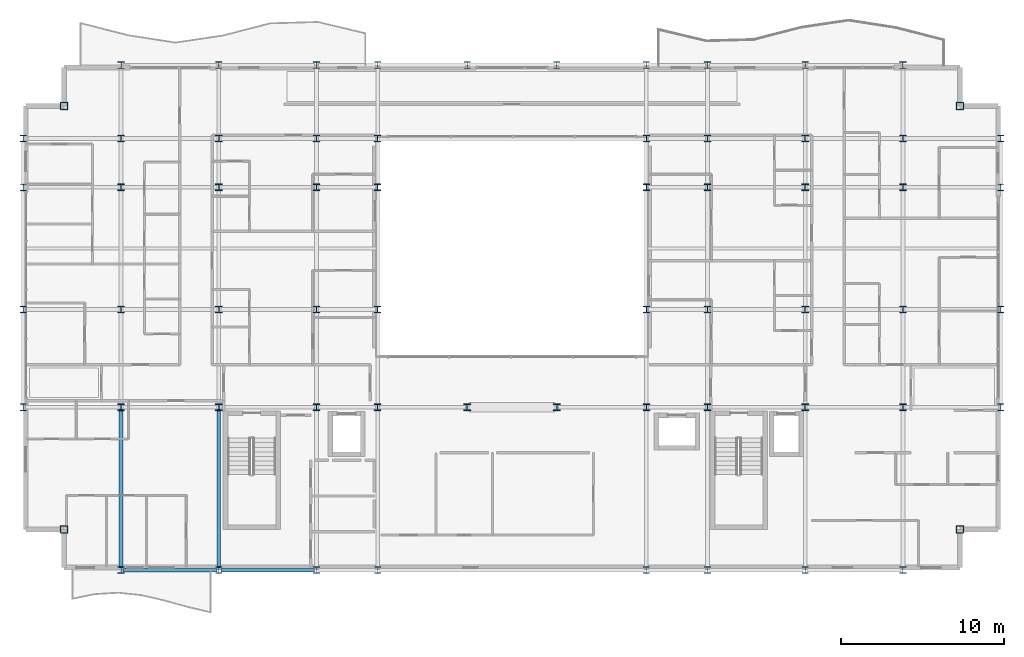
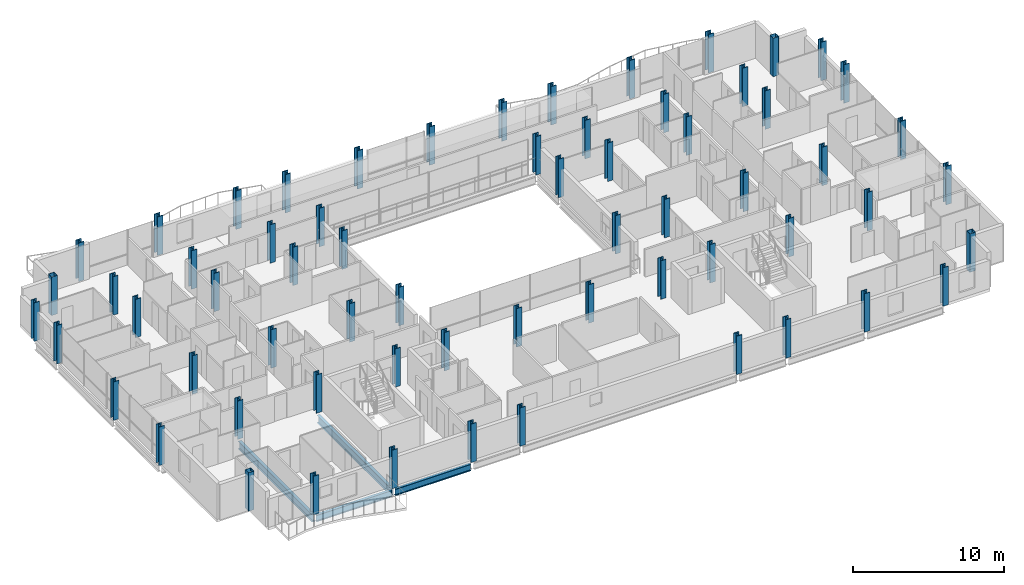
# One storey, part 1 of 40: 64 columns, 4 beams.
"""IFC4 building model written with IfcOpenShell, lengths in metres."""

from ifc_helpers import new_model, si_unit, direction, frame, origin, origin_2d, place, context, subcontext, project, spatial, hollow_rectangle, i_section, extrude, material, material_profile, profile_set, type_object, element, save


model = new_model("IFC4")

# Units and contexts
model_context = context("Model", 3, precision=1e-05, world=origin(), true_north=direction((0.0, 1.0)))
body_context = subcontext(model_context, "Body", "Model", "MODEL_VIEW")
ifc_project = project(units=[si_unit("LENGTHUNIT", "METRE"), si_unit("AREAUNIT", "SQUARE_METRE"), si_unit("VOLUMEUNIT", "CUBIC_METRE"), si_unit("PLANEANGLEUNIT", "RADIAN"), si_unit("MASSUNIT", "GRAM", prefix="KILO")], contexts=[model_context])

# Site, building, storey
site_placement = place(None, origin())
site = spatial("IfcSite", under=ifc_project, at=site_placement, CompositionType="ELEMENT")
building_placement = place(site_placement, origin())
building = spatial("IfcBuilding", under=site, at=building_placement, Name="Brevholm Reach", CompositionType="ELEMENT")
storey_placement = place(building_placement, frame((0.0, 0.0, 131.39990234375)))
storey = spatial("IfcBuildingStorey", under=building, at=storey_placement, Name="L39", CompositionType="ELEMENT", Elevation=131.39990234375)

# Columns
ifc_material_1 = material(Name="Structural Steel S460NH", Category="steel")
ifc_material_profile_1 = material_profile(ifc_material_1, hollow_rectangle(XDim=0.449951171875, YDim=0.449951171875, WallThickness=0.02490234375, InnerFilletRadius=0.011962890625, OuterFilletRadius=0.02392578125, at=origin_2d()), Name="SHS 450x450x25")
ifc_profile_set_1 = profile_set([ifc_material_profile_1], Name="Structural Steel S460NH")
column_type_1 = type_object("IfcColumnType", Name="COL-SHS1", PredefinedType="COLUMN", material=ifc_profile_set_1)
for number, where, z_axis, x_axis, name in (
    (1, (2.5, 2.5, 0.0), (0.0, 0.0, 1.0), (1.0, 0.0, 0.0), "L39 Column 05"),
    (2, (2.5, 28.5, 0.0), (0.0, 0.0, 1.0), (1.0, 0.0, 0.0), "L39 Column 06"),
    (3, (57.5, 2.5, 0.0), (0.0, 0.0, 1.0), (1.0, 0.0, 0.0), "L39 Column 59"),
    (4, (57.5, 28.5, 0.0), (0.0, 0.0, 1.0), (1.0, 0.0, 0.0), "L39 Column 60"),
):
    element("IfcColumn", number, at=place(storey_placement, frame(where, z_axis=z_axis, x_axis=x_axis)), inside=storey, type_object=column_type_1, Name=name, PredefinedType="COLUMN", context=body_context, shape_type="SweptSolid", body=[
        extrude(hollow_rectangle(XDim=0.449951171875, YDim=0.449951171875, WallThickness=0.02490234375, InnerFilletRadius=0.011962890625, OuterFilletRadius=0.02392578125, at=origin_2d()), origin(), (0.0, 0.0, 1.0), 3.10009765625),
    ])
ifc_material_2 = material(Name="Structural Steel S460ML", Category="steel")
ifc_material_profile_2 = material_profile(ifc_material_2, i_section(OverallWidth=0.412109375, OverallDepth=0.4365234375, WebThickness=0.035888671875, FlangeThickness=0.05810546875, FilletRadius=0.01513671875, at=origin_2d()), Name="UKC 356x406x467")
ifc_profile_set_2 = profile_set([ifc_material_profile_2], Name="Structural Steel S460ML")
column_type_2 = type_object("IfcColumnType", Name="COL-UC3", PredefinedType="COLUMN", material=ifc_profile_set_2)
for number, where, z_axis, x_axis, name in (
    (5, (0.0, 10.0, 0.0), (0.0, 0.0, 1.0), (1.0, 0.0, 0.0), "L39 Column 01"),
    (6, (0.0, 16.0, 0.0), (0.0, 0.0, 1.0), (1.0, 0.0, 0.0), "L39 Column 02"),
    (7, (0.0, 23.5, 0.0), (0.0, 0.0, 1.0), (1.0, 0.0, 0.0), "L39 Column 03"),
    (8, (0.0, 26.5, 0.0), (0.0, 0.0, 1.0), (1.0, 0.0, 0.0), "L39 Column 04"),
    (9, (6.0, 0.0, 0.0), (0.0, 0.0, 1.0), (1.0, 0.0, 0.0), "L39 Column 07"),
    (10, (6.0, 31.0, 0.0), (0.0, 0.0, 1.0), (1.0, 0.0, 0.0), "L39 Column 12"),
    (11, (12.0, 0.0, 0.0), (0.0, 0.0, 1.0), (1.0, 0.0, 0.0), "L39 Column 13"),
    (12, (12.0, 31.0, 0.0), (0.0, 0.0, 1.0), (1.0, 0.0, 0.0), "L39 Column 18"),
    (13, (18.0, 0.0, 0.0), (0.0, 0.0, 1.0), (1.0, 0.0, 0.0), "L39 Column 19"),
    (14, (18.0, 31.0, 0.0), (0.0, 0.0, 1.0), (1.0, 0.0, 0.0), "L39 Column 24"),
    (15, (21.75, 0.0, 0.0), (0.0, 0.0, 1.0), (1.0, 0.0, 0.0), "L39 Column 25"),
    (16, (21.75, 31.0, 0.0), (0.0, 0.0, 1.0), (1.0, 0.0, 0.0), "L39 Column 30"),
    (17, (27.25, 31.0, 0.0), (0.0, 0.0, 1.0), (1.0, 0.0, 0.0), "L39 Column 32"),
    (18, (32.75, 31.0, 0.0), (0.0, 0.0, 1.0), (1.0, 0.0, 0.0), "L39 Column 34"),
    (19, (38.25, 0.0, 0.0), (0.0, 0.0, 1.0), (1.0, 0.0, 0.0), "L39 Column 35"),
    (20, (38.25, 31.0, 0.0), (0.0, 0.0, 1.0), (1.0, 0.0, 0.0), "L39 Column 40"),
    (21, (42.0, 0.0, 0.0), (0.0, 0.0, 1.0), (1.0, 0.0, 0.0), "L39 Column 41"),
    (22, (42.0, 31.0, 0.0), (0.0, 0.0, 1.0), (1.0, 0.0, 0.0), "L39 Column 46"),
    (23, (48.0, 0.0, 0.0), (0.0, 0.0, 1.0), (1.0, 0.0, 0.0), "L39 Column 47"),
    (24, (48.0, 31.0, 0.0), (0.0, 0.0, 1.0), (1.0, 0.0, 0.0), "L39 Column 52"),
    (25, (54.0, 0.0, 0.0), (0.0, 0.0, 1.0), (1.0, 0.0, 0.0), "L39 Column 53"),
    (26, (54.0, 31.0, 0.0), (0.0, 0.0, 1.0), (1.0, 0.0, 0.0), "L39 Column 58"),
    (27, (60.0, 10.0, 0.0), (0.0, 0.0, 1.0), (1.0, 0.0, 0.0), "L39 Column 61"),
    (28, (60.0, 16.0, 0.0), (0.0, 0.0, 1.0), (1.0, 0.0, 0.0), "L39 Column 62"),
    (29, (60.0, 23.5, 0.0), (0.0, 0.0, 1.0), (1.0, 0.0, 0.0), "L39 Column 63"),
    (30, (60.0, 26.5, 0.0), (0.0, 0.0, 1.0), (1.0, 0.0, 0.0), "L39 Column 64"),
):
    element("IfcColumn", number, at=place(storey_placement, frame(where, z_axis=z_axis, x_axis=x_axis)), inside=storey, type_object=column_type_2, Name=name, PredefinedType="COLUMN", context=body_context, shape_type="SweptSolid", body=[
        extrude(i_section(OverallWidth=0.412109375, OverallDepth=0.4365234375, WebThickness=0.035888671875, FlangeThickness=0.05810546875, FilletRadius=0.01513671875, at=origin_2d()), origin(), (0.0, 0.0, 1.0), 3.10009765625),
    ])
ifc_material_3 = material(Name="Structural Steel S355J2", Category="steel")
ifc_material_profile_3 = material_profile(ifc_material_3, i_section(OverallWidth=0.406982421875, OverallDepth=0.4189453125, WebThickness=0.030517578125, FlangeThickness=0.04931640625, FilletRadius=0.01513671875, at=origin_2d()), Name="UKC 356x406x393")
ifc_profile_set_3 = profile_set([ifc_material_profile_3], Name="Structural Steel S355J2")
column_type_3 = type_object("IfcColumnType", Name="COL-UC4", PredefinedType="COLUMN", material=ifc_profile_set_3)
for number, where, z_axis, x_axis, name in (
    (31, (6.0, 10.0, 0.0), (0.0, 0.0, 1.0), (1.0, 0.0, 0.0), "L39 Column 08"),
    (32, (6.0, 16.0, 0.0), (0.0, 0.0, 1.0), (1.0, 0.0, 0.0), "L39 Column 09"),
    (33, (6.0, 23.5, 0.0), (0.0, 0.0, 1.0), (1.0, 0.0, 0.0), "L39 Column 10"),
    (34, (6.0, 26.5, 0.0), (0.0, 0.0, 1.0), (1.0, 0.0, 0.0), "L39 Column 11"),
    (35, (12.0, 10.0, 0.0), (0.0, 0.0, 1.0), (1.0, 0.0, 0.0), "L39 Column 14"),
    (36, (12.0, 16.0, 0.0), (0.0, 0.0, 1.0), (1.0, 0.0, 0.0), "L39 Column 15"),
    (37, (12.0, 23.5, 0.0), (0.0, 0.0, 1.0), (1.0, 0.0, 0.0), "L39 Column 16"),
    (38, (12.0, 26.5, 0.0), (0.0, 0.0, 1.0), (1.0, 0.0, 0.0), "L39 Column 17"),
    (39, (18.0, 10.0, 0.0), (0.0, 0.0, 1.0), (1.0, 0.0, 0.0), "L39 Column 20"),
    (40, (18.0, 16.0, 0.0), (0.0, 0.0, 1.0), (1.0, 0.0, 0.0), "L39 Column 21"),
    (41, (18.0, 23.5, 0.0), (0.0, 0.0, 1.0), (1.0, 0.0, 0.0), "L39 Column 22"),
    (42, (18.0, 26.5, 0.0), (0.0, 0.0, 1.0), (1.0, 0.0, 0.0), "L39 Column 23"),
    (43, (21.75, 10.0, 0.0), (0.0, 0.0, 1.0), (1.0, 0.0, 0.0), "L39 Column 26"),
    (44, (21.75, 16.0, 0.0), (0.0, 0.0, 1.0), (1.0, 0.0, 0.0), "L39 Column 27"),
    (45, (21.75, 23.5, 0.0), (0.0, 0.0, 1.0), (1.0, 0.0, 0.0), "L39 Column 28"),
    (46, (21.75, 26.5, 0.0), (0.0, 0.0, 1.0), (1.0, 0.0, 0.0), "L39 Column 29"),
    (47, (27.25, 10.0, 0.0), (0.0, 0.0, 1.0), (1.0, 0.0, 0.0), "L39 Column 31"),
    (48, (32.75, 10.0, 0.0), (0.0, 0.0, 1.0), (1.0, 0.0, 0.0), "L39 Column 33"),
    (49, (38.25, 10.0, 0.0), (0.0, 0.0, 1.0), (1.0, 0.0, 0.0), "L39 Column 36"),
    (50, (38.25, 16.0, 0.0), (0.0, 0.0, 1.0), (1.0, 0.0, 0.0), "L39 Column 37"),
    (51, (38.25, 23.5, 0.0), (0.0, 0.0, 1.0), (1.0, 0.0, 0.0), "L39 Column 38"),
    (52, (38.25, 26.5, 0.0), (0.0, 0.0, 1.0), (1.0, 0.0, 0.0), "L39 Column 39"),
    (53, (42.0, 10.0, 0.0), (0.0, 0.0, 1.0), (1.0, 0.0, 0.0), "L39 Column 42"),
    (54, (42.0, 16.0, 0.0), (0.0, 0.0, 1.0), (1.0, 0.0, 0.0), "L39 Column 43"),
    (55, (42.0, 23.5, 0.0), (0.0, 0.0, 1.0), (1.0, 0.0, 0.0), "L39 Column 44"),
    (56, (42.0, 26.5, 0.0), (0.0, 0.0, 1.0), (1.0, 0.0, 0.0), "L39 Column 45"),
    (57, (48.0, 10.0, 0.0), (0.0, 0.0, 1.0), (1.0, 0.0, 0.0), "L39 Column 48"),
    (58, (48.0, 16.0, 0.0), (0.0, 0.0, 1.0), (1.0, 0.0, 0.0), "L39 Column 49"),
    (59, (48.0, 23.5, 0.0), (0.0, 0.0, 1.0), (1.0, 0.0, 0.0), "L39 Column 50"),
    (60, (48.0, 26.5, 0.0), (0.0, 0.0, 1.0), (1.0, 0.0, 0.0), "L39 Column 51"),
    (61, (54.0, 10.0, 0.0), (0.0, 0.0, 1.0), (1.0, 0.0, 0.0), "L39 Column 54"),
    (62, (54.0, 16.0, 0.0), (0.0, 0.0, 1.0), (1.0, 0.0, 0.0), "L39 Column 55"),
    (63, (54.0, 23.5, 0.0), (0.0, 0.0, 1.0), (1.0, 0.0, 0.0), "L39 Column 56"),
    (64, (54.0, 26.5, 0.0), (0.0, 0.0, 1.0), (1.0, 0.0, 0.0), "L39 Column 57"),
):
    element("IfcColumn", number, at=place(storey_placement, frame(where, z_axis=z_axis, x_axis=x_axis)), inside=storey, type_object=column_type_3, Name=name, PredefinedType="COLUMN", context=body_context, shape_type="SweptSolid", body=[
        extrude(i_section(OverallWidth=0.406982421875, OverallDepth=0.4189453125, WebThickness=0.030517578125, FlangeThickness=0.04931640625, FilletRadius=0.01513671875, at=origin_2d()), origin(), (0.0, 0.0, 1.0), 3.10009765625),
    ])

# Beams
ifc_material_4 = material(Name="Structural Steel S355J2", Category="steel")
ifc_material_profile_4 = material_profile(ifc_material_4, i_section(OverallWidth=0.209228515625, OverallDepth=0.533203125, WebThickness=0.010009765625, FlangeThickness=0.015625, FilletRadius=0.0126953125, at=origin_2d()), Name="UKB 533x210x92")
ifc_profile_set_4 = profile_set([ifc_material_profile_4], Name="Structural Steel S355J2")
beam_type_1 = type_object("IfcBeamType", Name="BM-SP533", PredefinedType="SPANDREL", material=ifc_profile_set_4)
for number, where, z_axis, x_axis, name in (
    (65, (6.1201171875, 0.0, -0.486572265625), (1.0, 0.0, 0.0), (0.0, 1.0, 0.0), "L39 SP-02 Framing Beam"),
    (66, (12.1201171875, 0.0, -0.486572265625), (1.0, 0.0, 0.0), (0.0, 1.0, 0.0), "L39 SP-02 Framing Beam"),
):
    element("IfcBeam", number, at=place(storey_placement, frame(where, z_axis=z_axis, x_axis=x_axis)), inside=storey, type_object=beam_type_1, Name=name, PredefinedType="SPANDREL", context=body_context, shape_type="SweptSolid", body=[
        extrude(i_section(OverallWidth=0.209228515625, OverallDepth=0.533203125, WebThickness=0.010009765625, FlangeThickness=0.015625, FilletRadius=0.0126953125, at=origin_2d()), origin(), (0.0, 0.0, 1.0), 5.759765625),
    ])
ifc_material_5 = material(Name="Structural Steel S355J2", Category="steel")
ifc_material_profile_5 = material_profile(ifc_material_5, i_section(OverallWidth=0.22900390625, OverallDepth=0.6123046875, WebThickness=0.011962890625, FlangeThickness=0.01953125, FilletRadius=0.0126953125, at=origin_2d()), Name="UKB 610x229x125")
ifc_profile_set_5 = profile_set([ifc_material_profile_5], Name="Structural Steel S355J2")
beam_type_2 = type_object("IfcBeamType", Name="BM-SP610", PredefinedType="SPANDREL", material=ifc_profile_set_5)
for number, where, z_axis, x_axis, name in (
    (67, (6.0, 0.1201171875, -0.526123046875), (0.0, 1.0, 0.0), (-1.0, 0.0, 0.0), "L39 SP-01 Framing Beam"),
    (68, (12.0, 0.1201171875, -0.526123046875), (0.0, 1.0, 0.0), (-1.0, 0.0, 0.0), "L39 SP-01 Framing Beam"),
):
    element("IfcBeam", number, at=place(storey_placement, frame(where, z_axis=z_axis, x_axis=x_axis)), inside=storey, type_object=beam_type_2, Name=name, PredefinedType="SPANDREL", context=body_context, shape_type="SweptSolid", body=[
        extrude(i_section(OverallWidth=0.22900390625, OverallDepth=0.6123046875, WebThickness=0.011962890625, FlangeThickness=0.01953125, FilletRadius=0.0126953125, at=origin_2d()), origin(), (0.0, 0.0, 1.0), 9.759765625),
    ])

save(model, "model.ifc")
